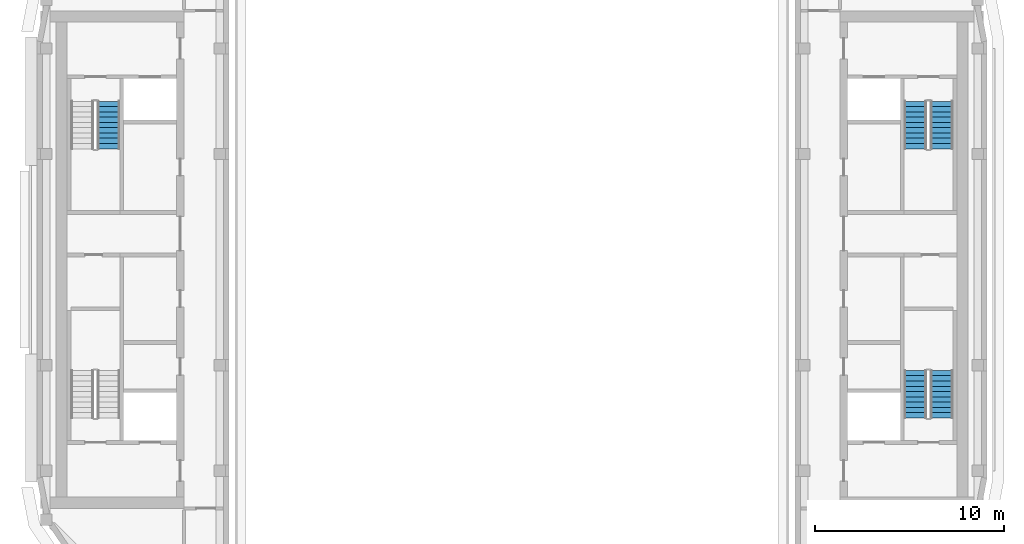
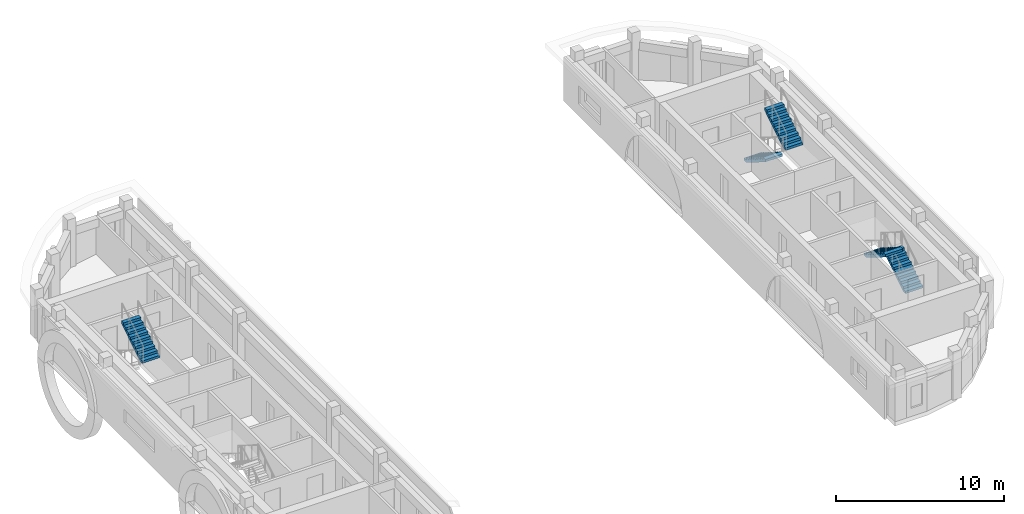
# One storey, part 5 of 12: 5 stair flights, 3 elements without a shape of their own.
"""IFC4 building model written with IfcOpenShell, lengths in metres."""

from ifc_helpers import new_model, si_unit, direction, frame, origin, place, context, subcontext, project, spatial, polyline, outline, extrude, material, type_object, element, aggregate, save


model = new_model("IFC4")

# Units and contexts
model_context = context("Model", 3, precision=1e-05, world=origin(), true_north=direction((0.0, 1.0)))
body_context = subcontext(model_context, "Body", "Model", "MODEL_VIEW")
ifc_project = project(units=[si_unit("LENGTHUNIT", "METRE"), si_unit("AREAUNIT", "SQUARE_METRE"), si_unit("VOLUMEUNIT", "CUBIC_METRE"), si_unit("PLANEANGLEUNIT", "RADIAN"), si_unit("MASSUNIT", "GRAM", prefix="KILO")], contexts=[model_context])

# Site, building, storey
site_placement = place(None, origin())
site = spatial("IfcSite", under=ifc_project, at=site_placement, CompositionType="ELEMENT")
building_placement = place(site_placement, origin())
building = spatial("IfcBuilding", under=site, at=building_placement, Name="Kiln Ring Residences", CompositionType="ELEMENT")
storey_placement = place(building_placement, frame((0.0, 0.0, 310.39990234375)))
storey = spatial("IfcBuildingStorey", under=building, at=storey_placement, Name="L80 Crown", CompositionType="ELEMENT", Elevation=310.39990234375)

# Stair, stair flight
ifc_material_1 = material(Name="Concrete C40/50", Category="concrete")
stair_type = type_object("IfcStairType", Name="CORE-STAIR", PredefinedType="HALF_TURN_STAIR", material=ifc_material_1)
placement = place(storey_placement, origin())
stair_1 = element("IfcStair", 1, at=placement, inside=storey, type_object=stair_type, Name="L80 Crown stair W-STN", PredefinedType="HALF_TURN_STAIR")
ifc_material_2 = material(Name="Concrete C40/50", Category="concrete")
stair_flight_type = type_object("IfcStairFlightType", Name="CORE-STAIR-FLIGHT", PredefinedType="STRAIGHT", material=ifc_material_2)
stair_flight_1_placement = place(storey_placement, frame((-21.39990234375, 5.8798828125, 1.75), z_axis=(0.0, 0.0, 1.0), x_axis=(0.0, 1.0, 0.0)))
stair_flight_1 = element("IfcStairFlight", 2, at=stair_flight_1_placement, type_object=stair_flight_type, Name="W-STN flight 2", NumberOfRisers=10, NumberOfTreads=9, PredefinedType="STRAIGHT", RiserHeight=0.175, TreadLength=0.28, context=body_context, shape_type="SweptSolid", body=[
    extrude(outline(polyline([(0.0, 0.0), (0.0, 0.175048828125), (0.280029296875, 0.175048828125), (0.280029296875, 0.35009765625), (0.56005859375, 0.35009765625), (0.56005859375, 0.52490234375), (0.840087890625, 0.52490234375), (0.840087890625, 0.699951171875), (1.1201171875, 0.699951171875), (1.1201171875, 0.875), (1.39990234375, 0.875), (1.39990234375, 1.050048828125), (1.679931640625, 1.050048828125), (1.679931640625, 1.22509765625), (1.9599609375, 1.22509765625), (1.9599609375, 1.39990234375), (2.239990234375, 1.39990234375), (2.239990234375, 1.574951171875), (2.52001953125, 1.574951171875), (2.52001953125, 1.75), (2.52001953125, 1.398193359375), (0.28271484375, 0.0), (0.0, 0.0)])), frame((0.0, 0.60009765625, 0.0), z_axis=(0.0, -1.0, 0.0), x_axis=(1.0, 0.0, 0.0)), (0.0, 0.0, 1.0), 1.199951171875),
])
aggregate(stair_1, [stair_flight_1])

# Stair, stair flights
stair_2 = element("IfcStair", 3, at=placement, inside=storey, type_object=stair_type, Name="L80 Crown stair E-STN", PredefinedType="HALF_TURN_STAIR")
stair_flight_2_placement = place(storey_placement, frame((21.39990234375, 8.39990234375, 0.0), z_axis=(0.0, 0.0, 1.0), x_axis=(0.0, -1.0, 0.0)))
stair_flight_2 = element("IfcStairFlight", 4, at=stair_flight_2_placement, type_object=stair_flight_type, Name="E-STN flight 1", NumberOfRisers=10, NumberOfTreads=9, PredefinedType="STRAIGHT", RiserHeight=0.175, TreadLength=0.28, context=body_context, shape_type="SweptSolid", body=[
    extrude(outline(polyline([(0.0, 0.0), (0.0, 0.175048828125), (0.280029296875, 0.175048828125), (0.280029296875, 0.35009765625), (0.56005859375, 0.35009765625), (0.56005859375, 0.52490234375), (0.840087890625, 0.52490234375), (0.840087890625, 0.699951171875), (1.1201171875, 0.699951171875), (1.1201171875, 0.875), (1.39990234375, 0.875), (1.39990234375, 1.050048828125), (1.679931640625, 1.050048828125), (1.679931640625, 1.22509765625), (1.9599609375, 1.22509765625), (1.9599609375, 1.39990234375), (2.239990234375, 1.39990234375), (2.239990234375, 1.574951171875), (2.52001953125, 1.574951171875), (2.52001953125, 1.75), (2.52001953125, 1.398193359375), (0.28271484375, 0.0), (0.0, 0.0)])), frame((0.0, 0.60009765625, 0.0), z_axis=(0.0, -1.0, 0.0), x_axis=(1.0, 0.0, 0.0)), (0.0, 0.0, 1.0), 1.199951171875),
])
stair_flight_3_placement = place(storey_placement, frame((22.800048828125, 5.8798828125, 1.75), z_axis=(0.0, 0.0, 1.0), x_axis=(0.0, 1.0, 0.0)))
stair_flight_3 = element("IfcStairFlight", 5, at=stair_flight_3_placement, type_object=stair_flight_type, Name="E-STN flight 2", NumberOfRisers=10, NumberOfTreads=9, PredefinedType="STRAIGHT", RiserHeight=0.175, TreadLength=0.28, context=body_context, shape_type="SweptSolid", body=[
    extrude(outline(polyline([(0.0, 0.0), (0.0, 0.175048828125), (0.280029296875, 0.175048828125), (0.280029296875, 0.35009765625), (0.56005859375, 0.35009765625), (0.56005859375, 0.52490234375), (0.840087890625, 0.52490234375), (0.840087890625, 0.699951171875), (1.1201171875, 0.699951171875), (1.1201171875, 0.875), (1.39990234375, 0.875), (1.39990234375, 1.050048828125), (1.679931640625, 1.050048828125), (1.679931640625, 1.22509765625), (1.9599609375, 1.22509765625), (1.9599609375, 1.39990234375), (2.239990234375, 1.39990234375), (2.239990234375, 1.574951171875), (2.52001953125, 1.574951171875), (2.52001953125, 1.75), (2.52001953125, 1.398193359375), (0.28271484375, 0.0), (0.0, 0.0)])), frame((0.0, 0.60009765625, 0.0), z_axis=(0.0, -1.0, 0.0), x_axis=(1.0, 0.0, 0.0)), (0.0, 0.0, 1.0), 1.199951171875),
])
aggregate(stair_2, [stair_flight_2, stair_flight_3])

stair_3 = element("IfcStair", 6, at=placement, inside=storey, type_object=stair_type, Name="L80 Crown stair E-STS", PredefinedType="HALF_TURN_STAIR")
stair_flight_4_placement = place(storey_placement, frame((22.800048828125, -8.39990234375, 0.0), z_axis=(0.0, 0.0, 1.0), x_axis=(0.0, 1.0, 0.0)))
stair_flight_4 = element("IfcStairFlight", 7, at=stair_flight_4_placement, type_object=stair_flight_type, Name="E-STS flight 1", NumberOfRisers=10, NumberOfTreads=9, PredefinedType="STRAIGHT", RiserHeight=0.175, TreadLength=0.28, context=body_context, shape_type="SweptSolid", body=[
    extrude(outline(polyline([(0.0, 0.0), (0.0, 0.175048828125), (0.280029296875, 0.175048828125), (0.280029296875, 0.35009765625), (0.56005859375, 0.35009765625), (0.56005859375, 0.52490234375), (0.840087890625, 0.52490234375), (0.840087890625, 0.699951171875), (1.1201171875, 0.699951171875), (1.1201171875, 0.875), (1.39990234375, 0.875), (1.39990234375, 1.050048828125), (1.679931640625, 1.050048828125), (1.679931640625, 1.22509765625), (1.9599609375, 1.22509765625), (1.9599609375, 1.39990234375), (2.239990234375, 1.39990234375), (2.239990234375, 1.574951171875), (2.52001953125, 1.574951171875), (2.52001953125, 1.75), (2.52001953125, 1.398193359375), (0.28271484375, 0.0), (0.0, 0.0)])), frame((0.0, 0.60009765625, 0.0), z_axis=(0.0, -1.0, 0.0), x_axis=(1.0, 0.0, 0.0)), (0.0, 0.0, 1.0), 1.199951171875),
])
stair_flight_5_placement = place(storey_placement, frame((21.39990234375, -5.8798828125, 1.75), z_axis=(0.0, 0.0, 1.0), x_axis=(0.0, -1.0, 0.0)))
stair_flight_5 = element("IfcStairFlight", 8, at=stair_flight_5_placement, type_object=stair_flight_type, Name="E-STS flight 2", NumberOfRisers=10, NumberOfTreads=9, PredefinedType="STRAIGHT", RiserHeight=0.175, TreadLength=0.28, context=body_context, shape_type="SweptSolid", body=[
    extrude(outline(polyline([(0.0, 0.0), (0.0, 0.175048828125), (0.280029296875, 0.175048828125), (0.280029296875, 0.35009765625), (0.56005859375, 0.35009765625), (0.56005859375, 0.52490234375), (0.840087890625, 0.52490234375), (0.840087890625, 0.699951171875), (1.1201171875, 0.699951171875), (1.1201171875, 0.875), (1.39990234375, 0.875), (1.39990234375, 1.050048828125), (1.679931640625, 1.050048828125), (1.679931640625, 1.22509765625), (1.9599609375, 1.22509765625), (1.9599609375, 1.39990234375), (2.239990234375, 1.39990234375), (2.239990234375, 1.574951171875), (2.52001953125, 1.574951171875), (2.52001953125, 1.75), (2.52001953125, 1.398193359375), (0.28271484375, 0.0), (0.0, 0.0)])), frame((0.0, 0.60009765625, 0.0), z_axis=(0.0, -1.0, 0.0), x_axis=(1.0, 0.0, 0.0)), (0.0, 0.0, 1.0), 1.199951171875),
])
aggregate(stair_3, [stair_flight_4, stair_flight_5])

save(model, "model.ifc")
